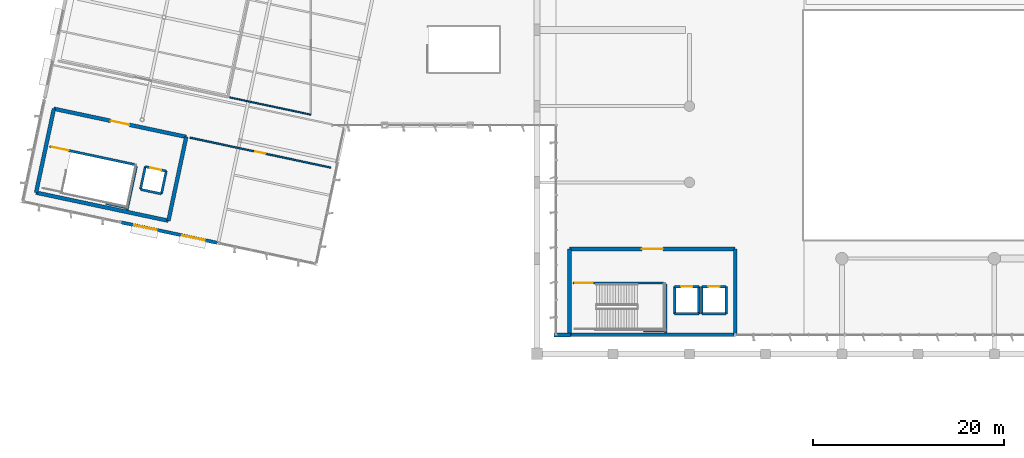
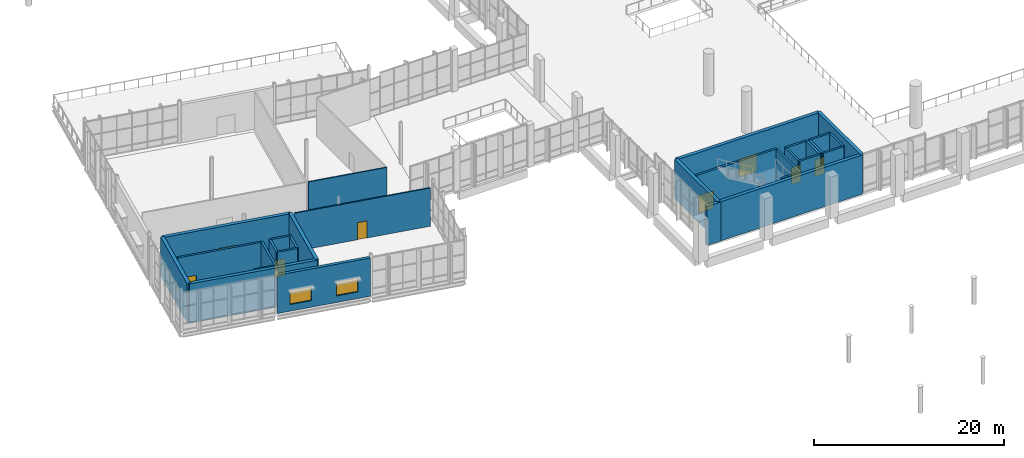
# One storey, part 138 of 176: 30 walls, 8 doors, 2 windows, 10 openings.
"""IFC4 building model written with IfcOpenShell, lengths in metres."""

import ifcopenshell
import ifcopenshell.guid

model = None  # the IFC model being written
_history = None  # IfcOwnerHistory: only IFC2X3 demands one
_inside = {}  # id of a spatial element -> (the spatial element, [elements in it])
_under = {}  # id of a project, library or spatial element -> (it, [spatial elements below it])
_declared = {}  # id of a project -> (the project, [libraries it declares])
_typed = {}  # id of a type object -> (the type object, [elements of that type])
_made_of = {}  # id of a material, layer set ... -> (it, [elements and type objects made of it])


def new_model(schema):
    """Start an empty IFC model of exactly this schema.

    Asked for "IFC4X3", IfcOpenShell would pick the latest addendum, in which some entities
    have other attributes; the version numbers below select the first issue.
    IFC2X3 requires an IfcOwnerHistory on every rooted entity: one is made here for all.
    """
    global model, _history
    if schema == "IFC4X3":
        model = ifcopenshell.file(schema_version=(4, 3, 0, 0))
    else:
        model = ifcopenshell.file(schema=schema)
    _inside.clear()
    _under.clear()
    _declared.clear()
    _typed.clear()
    _made_of.clear()
    _history = None
    if model.schema == "IFC2X3":
        org = make("IfcOrganization", Name="unknown")
        user = make(
            "IfcPersonAndOrganization",
            ThePerson=make("IfcPerson", FamilyName="unknown"),
            TheOrganization=org,
        )
        app = make(
            "IfcApplication",
            ApplicationDeveloper=org,
            Version="unknown",
            ApplicationFullName="unknown",
            ApplicationIdentifier="unknown",
        )
        _history = make(
            "IfcOwnerHistory",
            OwningUser=user,
            OwningApplication=app,
            ChangeAction="ADDED",
            CreationDate=0,
        )
    return model


def make(cls, **values):
    """One entity of the class cls with the attributes given. An attribute that is None is left unset."""
    return model.create_entity(
        cls, **{name: value for name, value in values.items() if value is not None}
    )


def rooted(cls, **values):
    """An entity with a GlobalId (a new one), such as an element, a storey or a relation."""
    return make(cls, GlobalId=ifcopenshell.guid.new(), OwnerHistory=_history, **values)


def si_unit(unit_type, name, prefix=None):
    """IfcSIUnit, for example si_unit("LENGTHUNIT", "METRE", prefix="MILLI")."""
    return make("IfcSIUnit", UnitType=unit_type, Prefix=prefix, Name=name)


def assignment(units):
    """IfcUnitAssignment: the units of a project."""
    return None if units is None else make("IfcUnitAssignment", Units=units)


def point(xyz):
    """IfcCartesianPoint."""
    return None if xyz is None else make("IfcCartesianPoint", Coordinates=xyz)


def direction(xyz):
    """IfcDirection."""
    return None if xyz is None else make("IfcDirection", DirectionRatios=xyz)


def frame(location, z_axis=None, x_axis=None):
    """IfcAxis2Placement3D, a coordinate frame: its origin and axes. An axis left out is left unset."""
    return make(
        "IfcAxis2Placement3D",
        Location=point(location),
        Axis=direction(z_axis),
        RefDirection=direction(x_axis),
    )


def frame_2d(location, x_axis=None):
    """IfcAxis2Placement2D, a coordinate frame in the plane: its origin and x axis."""
    return make(
        "IfcAxis2Placement2D", Location=point(location), RefDirection=direction(x_axis)
    )


def origin():
    """The frame at (0, 0, 0) with its axes left unset."""
    return frame((0.0, 0.0, 0.0))


def place(relative_to, where):
    """IfcLocalPlacement: puts the frame where relative to a parent placement (None: the world)."""
    return make(
        "IfcLocalPlacement", PlacementRelTo=relative_to, RelativePlacement=where
    )


def context(
    kind, dimensions, precision=None, world=None, true_north=None, identifier=None
):
    """IfcGeometricRepresentationContext, for example the 3D "Model" context."""
    return make(
        "IfcGeometricRepresentationContext",
        ContextIdentifier=identifier,
        ContextType=kind,
        CoordinateSpaceDimension=dimensions,
        Precision=precision,
        WorldCoordinateSystem=world,
        TrueNorth=true_north,
    )


def subcontext(parent, identifier, kind, view, scale=None):
    """IfcGeometricRepresentationSubContext, for example "Body" below "Model"."""
    return make(
        "IfcGeometricRepresentationSubContext",
        ContextIdentifier=identifier,
        ContextType=kind,
        ParentContext=parent,
        TargetScale=scale,
        TargetView=view,
    )


def project(units=None, contexts=None):
    """IfcProject with its units and contexts."""
    return rooted(
        "IfcProject",
        Name="project",
        RepresentationContexts=contexts,
        UnitsInContext=assignment(units),
    )


def spatial(cls, under=None, at=None, **own):
    """A site, building, storey or space (cls), placed at a placement, below another one or the project."""
    s = rooted(cls, ObjectPlacement=at, **own)
    if under is not None:
        _under.setdefault(under.id(), (under, []))[1].append(s)
    return s


def profile(cls, at=None, kind="AREA", **sizes):
    """A parametric profile (cls). Its sizes go by their IFC names, for example OverallWidth=200.0."""
    return make(cls, ProfileType=kind, Position=at, **sizes)


def rectangle(**sizes):
    """IfcRectangleProfileDef."""
    return profile("IfcRectangleProfileDef", **sizes)


def extrude(swept, where, along, depth):
    """IfcExtrudedAreaSolid: the profile swept, set in the frame where, extruded along a direction by depth."""
    return make(
        "IfcExtrudedAreaSolid",
        SweptArea=swept,
        Position=where,
        ExtrudedDirection=direction(along),
        Depth=depth,
    )


def shape(context_of_items, identifier, shape_type, items):
    """IfcShapeRepresentation: the items that make up one representation, for example the "Body"."""
    return make(
        "IfcShapeRepresentation",
        ContextOfItems=context_of_items,
        RepresentationIdentifier=identifier,
        RepresentationType=shape_type,
        Items=items,
    )


def material(Name=None, Category=None):
    """IfcMaterial."""
    return make("IfcMaterial", Name=Name, Category=Category)


def layer(
    of_material, thickness, ventilated=None, Name=None, Category=None, Priority=None
):
    """IfcMaterialLayer: one layer of a wall or slab, of a material (None: an air gap)."""
    return make(
        "IfcMaterialLayer",
        Material=of_material,
        LayerThickness=thickness,
        IsVentilated=ventilated,
        Name=Name,
        Category=Category,
        Priority=Priority,
    )


def layer_set(layers, Name=None):
    """IfcMaterialLayerSet."""
    return make("IfcMaterialLayerSet", MaterialLayers=layers, LayerSetName=Name)


def made_of(thing, what):
    """Note that an element or type object is made of a material, layer set ...; save() writes the relation."""
    if what is not None:
        _made_of.setdefault(what.id(), (what, []))[1].append(thing)
    return thing


def type_object(cls, material=None, **own):
    """A type object (cls), such as IfcWallType, which elements share."""
    return made_of(rooted(cls, **own), material)


def element(
    cls,
    number,
    at=None,
    inside=None,
    cuts=None,
    type_object=None,
    material=None,
    context=None,
    identifier="Body",
    shape_type=None,
    held_by="IfcProductDefinitionShape",
    body=None,
    shapes=None,
    **own,
):
    """One element of the class cls, such as IfcWall. Its Tag is "e" and its number.

    at: its placement. inside: the storey or other place that contains it. cuts: it is an
    opening in that element (IfcRelVoidsElement). A single representation is given by context,
    identifier, shape_type and body (its items); several are given by shapes. held_by: the class
    of the entity that holds the representations. save() writes the other relations.
    """
    e = rooted(cls, Tag="e%d" % number, ObjectPlacement=at, **own)
    if body is not None:
        shapes = [shape(context, identifier, shape_type, body)]
    if shapes is not None:
        e.Representation = make(held_by, Representations=shapes)
    if inside is not None:
        _inside.setdefault(inside.id(), (inside, []))[1].append(e)
    if cuts is not None:
        rooted(
            "IfcRelVoidsElement", RelatingBuildingElement=cuts, RelatedOpeningElement=e
        )
    if type_object is not None:
        _typed.setdefault(type_object.id(), (type_object, []))[1].append(e)
    return made_of(e, material)


def fill(opening, filler):
    """IfcRelFillsElement: the door or window that sits in an opening."""
    return rooted(
        "IfcRelFillsElement",
        RelatingOpeningElement=opening,
        RelatedBuildingElement=filler,
    )


def aggregate(whole, parts):
    """IfcRelAggregates: a whole, such as a stair, and the parts it consists of."""
    return rooted("IfcRelAggregates", RelatingObject=whole, RelatedObjects=parts)


def save(model, path):
    """Write the relations noted so far, then the file.

    IfcRelAggregates (storeys below a building ...), IfcRelContainedInSpatialStructure (elements
    in a storey), IfcRelDefinesByType, IfcRelAssociatesMaterial and IfcRelDeclares: one each for
    every whole, place, type object, material and project.
    """
    for whole, parts in _under.values():
        aggregate(whole, parts)
    for where, things in _inside.values():
        rooted(
            "IfcRelContainedInSpatialStructure",
            RelatedElements=things,
            RelatingStructure=where,
        )
    for kind, things in _typed.values():
        rooted("IfcRelDefinesByType", RelatedObjects=things, RelatingType=kind)
    for what, things in _made_of.values():
        rooted("IfcRelAssociatesMaterial", RelatedObjects=things, RelatingMaterial=what)
    for by, libraries in _declared.values():
        rooted("IfcRelDeclares", RelatingContext=by, RelatedDefinitions=libraries)
    model.write(path)


model = new_model("IFC4")

# Units and contexts
model_context = context("Model", 3, precision=1e-05, world=origin(), true_north=direction((0.0, 1.0)))
body_context = subcontext(model_context, "Body", "Model", "MODEL_VIEW")
ifc_project = project(units=[si_unit("LENGTHUNIT", "METRE"), si_unit("AREAUNIT", "SQUARE_METRE"), si_unit("VOLUMEUNIT", "CUBIC_METRE"), si_unit("PLANEANGLEUNIT", "RADIAN"), si_unit("MASSUNIT", "GRAM", prefix="KILO")], contexts=[model_context])

# Site, building, storey
site_placement = place(None, origin())
site = spatial("IfcSite", under=ifc_project, at=site_placement, CompositionType="ELEMENT")
building_placement = place(site_placement, origin())
building = spatial("IfcBuilding", under=site, at=building_placement, Name="Khorjan Park Terminus", CompositionType="ELEMENT")
storey_placement = place(building_placement, frame((0.0, 0.0, 6.0)))
storey = spatial("IfcBuildingStorey", under=building, at=storey_placement, Name="L01", CompositionType="ELEMENT", Elevation=6.0)

# Walls
ifc_material_1 = material(Name="Concrete C50/60", Category="concrete")
ifc_layer_1 = layer(ifc_material_1, 0.4)
ifc_layer_set_1 = layer_set([ifc_layer_1], Name="Concrete C50/60")
wall_type_1 = type_object("IfcWallType", Name="CW-40", PredefinedType="SHEAR", material=ifc_layer_set_1)
wall_1_placement = place(storey_placement, frame((51.4, 28.0, 0.0), z_axis=(0.0, 0.0, 1.0), x_axis=(1.0, 0.0, 0.0)))
element("IfcWall", 1, at=wall_1_placement, inside=storey, type_object=wall_type_1, Name="West Concourse Core concrete shear wall CW-40 (L01-E1)", PredefinedType="SHEAR", context=body_context, shape_type="SweptSolid", body=[
    extrude(rectangle(XDim=17.4, YDim=0.4, at=frame_2d((8.7, 0.0))), origin(), (0.0, 0.0, 1.0), 5.05),
])
wall_2_placement = place(storey_placement, frame((68.8, 28.0, 0.0), z_axis=(0.0, 0.0, 1.0), x_axis=(0.0, 1.0, 0.0)))
element("IfcWall", 2, at=wall_2_placement, inside=storey, type_object=wall_type_1, Name="West Concourse Core concrete shear wall CW-40 (L01-E2)", PredefinedType="SHEAR", context=body_context, shape_type="SweptSolid", body=[
    extrude(rectangle(XDim=9.0, YDim=0.4, at=frame_2d((4.5, 0.0))), origin(), (0.0, 0.0, 1.0), 5.05),
])

# Wall, opening, door
wall_3_placement = place(storey_placement, frame((68.8, 37.0, 0.0), z_axis=(0.0, 0.0, 1.0), x_axis=(-1.0, 0.0, 0.0)))
wall_3 = element("IfcWall", 3, at=wall_3_placement, inside=storey, type_object=wall_type_1, Name="West Concourse Core concrete shear wall CW-40 (L01-E3)", PredefinedType="SHEAR", context=body_context, shape_type="SweptSolid", body=[
    extrude(rectangle(XDim=17.4, YDim=0.4, at=frame_2d((8.7, 0.0))), origin(), (0.0, 0.0, 1.0), 5.05),
])
opening_1_placement = place(wall_3_placement, frame((7.6, 0.0, 0.0)))
opening_1 = element("IfcOpeningElement", 4, at=opening_1_placement, cuts=wall_3, Name="Opening FD-22", PredefinedType="OPENING", context=body_context, shape_type="SweptSolid", body=[
    extrude(rectangle(XDim=2.2, YDim=2.3, at=frame_2d((1.1, 1.15))), frame((0.0, 0.21, 0.0), z_axis=(0.0, -1.0, 0.0), x_axis=(1.0, 0.0, 0.0)), (0.0, 0.0, 1.0), 0.42),
])
ifc_material_2 = material(Name="Fire-Rated Steel Double Door", Category="steel")
door_type_1 = type_object("IfcDoorType", Name="FD-22", OperationType="NOTDEFINED", PredefinedType="DOOR", material=ifc_material_2)
door_1_placement = place(opening_1_placement, origin())
door_1 = element("IfcDoor", 5, at=door_1_placement, inside=storey, type_object=door_type_1, Name="West Concourse Core fire-rated exit door FD-22 (L01)", OperationType="DOUBLE_DOOR_SINGLE_SWING", OverallHeight=2.3, OverallWidth=2.2, PredefinedType="DOOR", context=body_context, shape_type="SweptSolid", body=[
    extrude(rectangle(XDim=2.2, YDim=2.3, at=frame_2d((1.1, 1.15))), frame((0.0, 0.025, 0.0), z_axis=(0.0, -1.0, 0.0), x_axis=(1.0, 0.0, 0.0)), (0.0, 0.0, 1.0), 0.05),
])
fill(opening_1, door_1)

# Walls
wall_4_placement = place(storey_placement, frame((51.4, 37.0, 0.0), z_axis=(0.0, 0.0, 1.0), x_axis=(0.0, -1.0, 0.0)))
element("IfcWall", 6, at=wall_4_placement, inside=storey, type_object=wall_type_1, Name="West Concourse Core concrete shear wall CW-40 (L01-E4)", PredefinedType="SHEAR", context=body_context, shape_type="SweptSolid", body=[
    extrude(rectangle(XDim=9.0, YDim=0.4, at=frame_2d((4.5, 0.0))), origin(), (0.0, 0.0, 1.0), 5.05),
])
wall_5_placement = place(storey_placement, frame((-4.5767, 42.9243, 0.0), z_axis=(0.0, 0.0, 1.0), x_axis=(0.978148272054, -0.20790853248, 0.0)))
element("IfcWall", 7, at=wall_5_placement, inside=storey, type_object=wall_type_1, Name="Park Pavilion Exit Core concrete shear wall CW-40 (L01-E1)", PredefinedType="SHEAR", context=body_context, shape_type="SweptSolid", body=[
    extrude(rectangle(XDim=14.2, YDim=0.4, at=frame_2d((7.1, 0.0))), origin(), (0.0, 0.0, 1.0), 5.05),
])
wall_6_placement = place(storey_placement, frame((9.313, 39.972, 0.0), z_axis=(0.0, 0.0, 1.0), x_axis=(0.20791177806, 0.97814758219, 0.0)))
element("IfcWall", 8, at=wall_6_placement, inside=storey, type_object=wall_type_1, Name="Park Pavilion Exit Core concrete shear wall CW-40 (L01-E2)", PredefinedType="SHEAR", context=body_context, shape_type="SweptSolid", body=[
    extrude(rectangle(XDim=9.0, YDim=0.4, at=frame_2d((4.5, 0.0))), origin(), (0.0, 0.0, 1.0), 5.05),
])

# Wall, opening, door
wall_7_placement = place(storey_placement, frame((11.1842, 48.7753, 0.0), z_axis=(0.0, 0.0, 1.0), x_axis=(-0.978148272054, 0.20790853248, 0.0)))
wall_7 = element("IfcWall", 9, at=wall_7_placement, inside=storey, type_object=wall_type_1, Name="Park Pavilion Exit Core concrete shear wall CW-40 (L01-E3)", PredefinedType="SHEAR", context=body_context, shape_type="SweptSolid", body=[
    extrude(rectangle(XDim=14.2, YDim=0.4, at=frame_2d((7.1, 0.0))), origin(), (0.0, 0.0, 1.0), 5.05),
])
opening_2_placement = place(wall_7_placement, frame((6.1, 0.0, 0.0)))
opening_2 = element("IfcOpeningElement", 10, at=opening_2_placement, cuts=wall_7, Name="Opening FD-20", PredefinedType="OPENING", context=body_context, shape_type="SweptSolid", body=[
    extrude(rectangle(XDim=2.0, YDim=2.3, at=frame_2d((1.0, 1.15))), frame((0.0, 0.21, 0.0), z_axis=(0.0, -1.0, 0.0), x_axis=(1.0, 0.0, 0.0)), (0.0, 0.0, 1.0), 0.42),
])
door_type_2 = type_object("IfcDoorType", Name="FD-20", OperationType="NOTDEFINED", PredefinedType="DOOR", material=ifc_material_2)
door_2_placement = place(opening_2_placement, origin())
door_2 = element("IfcDoor", 11, at=door_2_placement, inside=storey, type_object=door_type_2, Name="Park Pavilion Exit Core fire-rated exit door FD-20 (L01)", OperationType="DOUBLE_DOOR_SINGLE_SWING", OverallHeight=2.3, OverallWidth=2.0, PredefinedType="DOOR", context=body_context, shape_type="SweptSolid", body=[
    extrude(rectangle(XDim=2.0, YDim=2.3, at=frame_2d((1.0, 1.15))), frame((0.0, 0.025, 0.0), z_axis=(0.0, -1.0, 0.0), x_axis=(1.0, 0.0, 0.0)), (0.0, 0.0, 1.0), 0.05),
])
fill(opening_2, door_2)

# Wall
wall_8_placement = place(storey_placement, frame((-2.7055, 51.7276, 0.0), z_axis=(0.0, 0.0, 1.0), x_axis=(-0.20791177806, -0.97814758219, 0.0)))
element("IfcWall", 12, at=wall_8_placement, inside=storey, type_object=wall_type_1, Name="Park Pavilion Exit Core concrete shear wall CW-40 (L01-E4)", PredefinedType="SHEAR", context=body_context, shape_type="SweptSolid", body=[
    extrude(rectangle(XDim=9.0, YDim=0.4, at=frame_2d((4.5, 0.0))), origin(), (0.0, 0.0, 1.0), 5.05),
])

# Wall, openings, windows
ifc_material_3 = material(Name="Pigmented Precast GRC & Concrete C40/50", Category="concrete")
ifc_layer_2 = layer(ifc_material_3, 0.35)
ifc_layer_set_2 = layer_set([ifc_layer_2], Name="Pigmented Precast GRC & Concrete C40/50")
wall_type_2 = type_object("IfcWallType", Name="EW-35", PredefinedType="STANDARD", material=ifc_layer_set_2)
wall_9_placement = place(storey_placement, frame((4.3737, 39.795, 0.0), z_axis=(0.0, 0.0, 1.0), x_axis=(0.978149513342, -0.207902692501, 0.0)))
wall_9 = element("IfcWall", 13, at=wall_9_placement, inside=storey, type_object=wall_type_2, Name="External pigmented-GRC insulated wall EW-35 (EW-V4-S-L01-B02)", PredefinedType="STANDARD", context=body_context, shape_type="SweptSolid", body=[
    extrude(rectangle(XDim=10.2894, YDim=0.35, at=frame_2d((5.1447, 0.0))), origin(), (0.0, 0.0, 1.0), 4.93),
])
opening_3_placement = place(wall_9_placement, frame((1.3724, 0.0, 0.85)))
opening_3 = element("IfcOpeningElement", 14, at=opening_3_placement, cuts=wall_9, Name="Opening WN-24", PredefinedType="OPENING", context=body_context, shape_type="SweptSolid", body=[
    extrude(rectangle(XDim=2.4, YDim=1.8, at=frame_2d((1.2, 0.9))), frame((0.0, 0.185, 0.0), z_axis=(0.0, -1.0, 0.0), x_axis=(1.0, 0.0, 0.0)), (0.0, 0.0, 1.0), 0.37),
])
opening_4_placement = place(wall_9_placement, frame((6.5171, 0.0, 0.85)))
opening_4 = element("IfcOpeningElement", 15, at=opening_4_placement, cuts=wall_9, Name="Opening WN-24", PredefinedType="OPENING", context=body_context, shape_type="SweptSolid", body=[
    extrude(rectangle(XDim=2.4, YDim=1.8, at=frame_2d((1.2, 0.9))), frame((0.0, 0.185, 0.0), z_axis=(0.0, -1.0, 0.0), x_axis=(1.0, 0.0, 0.0)), (0.0, 0.0, 1.0), 0.37),
])
ifc_material_4 = material(Name="Anodized Bronze Aluminium & Low-E Glass", Category="aluminium")
window_type = type_object("IfcWindowType", Name="WN-24", PartitioningType="SINGLE_PANEL", PredefinedType="WINDOW", material=ifc_material_4)
window_1_placement = place(opening_3_placement, origin())
window_1 = element("IfcWindow", 16, at=window_1_placement, inside=storey, type_object=window_type, Name="Solar-control exterior window WN-24 (WN-EW-V4-S-L01-B02-1)", OverallHeight=1.8, OverallWidth=2.4, PartitioningType="SINGLE_PANEL", PredefinedType="WINDOW", context=body_context, shape_type="SweptSolid", body=[
    extrude(rectangle(XDim=2.4, YDim=1.8, at=frame_2d((1.2, 0.9))), frame((0.0, 0.03, 0.0), z_axis=(0.0, -1.0, 0.0), x_axis=(1.0, 0.0, 0.0)), (0.0, 0.0, 1.0), 0.06),
])
fill(opening_3, window_1)
window_2_placement = place(opening_4_placement, origin())
window_2 = element("IfcWindow", 17, at=window_2_placement, inside=storey, type_object=window_type, Name="Solar-control exterior window WN-24 (WN-EW-V4-S-L01-B02-2)", OverallHeight=1.8, OverallWidth=2.4, PartitioningType="SINGLE_PANEL", PredefinedType="WINDOW", context=body_context, shape_type="SweptSolid", body=[
    extrude(rectangle(XDim=2.4, YDim=1.8, at=frame_2d((1.2, 0.9))), frame((0.0, 0.03, 0.0), z_axis=(0.0, -1.0, 0.0), x_axis=(1.0, 0.0, 0.0)), (0.0, 0.0, 1.0), 0.06),
])
fill(opening_4, window_2)

# Walls
ifc_layer_3 = layer(ifc_material_3, 0.42)
ifc_layer_set_3 = layer_set([ifc_layer_3], Name="Pigmented Precast GRC & Concrete C40/50")
wall_type_3 = type_object("IfcWallType", Name="EW-42", PredefinedType="STANDARD", material=ifc_layer_set_3)
wall_10_placement = place(storey_placement, frame((49.8, 28.0, 0.0), z_axis=(0.0, 0.0, 1.0), x_axis=(1.0, 0.0, 0.0)))
element("IfcWall", 18, at=wall_10_placement, inside=storey, type_object=wall_type_3, Name="External pigmented-GRC pier wall EW-42 (L01-1)", PredefinedType="STANDARD", context=body_context, shape_type="SweptSolid", body=[
    extrude(rectangle(XDim=1.7, YDim=0.42, at=frame_2d((0.85, 0.0))), origin(), (0.0, 0.0, 1.0), 5.025),
])
ifc_material_5 = material(Name="Moisture-Resistant Sanitary Partition")
ifc_layer_4 = layer(ifc_material_5, 0.14)
ifc_layer_set_4 = layer_set([ifc_layer_4], Name="Moisture-Resistant Sanitary Partition")
wall_type_4 = type_object("IfcWallType", Name="PT-14", PredefinedType="PARTITIONING", material=ifc_layer_set_4)
wall_11_placement = place(storey_placement, frame((24.26, 51.1076, 0.0), z_axis=(0.0, 0.0, 1.0), x_axis=(-0.978147550902, 0.207911925258, 0.0)))
element("IfcWall", 19, at=wall_11_placement, inside=storey, type_object=wall_type_4, Name="Interior acoustic partition PT-14 (L01-PAV-WC)", PredefinedType="PARTITIONING", context=body_context, shape_type="SweptSolid", body=[
    extrude(rectangle(XDim=8.7051, YDim=0.14, at=frame_2d((4.3525, 0.0))), origin(), (0.0, 0.0, 1.0), 4.93),
])

# Wall, opening, door
ifc_material_6 = material(Name="Insulated Metal-Stud Acoustic Partition")
ifc_layer_5 = layer(ifc_material_6, 0.16)
ifc_layer_set_5 = layer_set([ifc_layer_5], Name="Insulated Metal-Stud Acoustic Partition")
wall_type_5 = type_object("IfcWallType", Name="PT-16", PredefinedType="PARTITIONING", material=ifc_layer_set_5)
wall_12_placement = place(storey_placement, frame((11.5754, 48.6921, 0.0), z_axis=(0.0, 0.0, 1.0), x_axis=(0.978147353885, -0.207912852149, 0.0)))
wall_12 = element("IfcWall", 20, at=wall_12_placement, inside=storey, type_object=wall_type_5, Name="Interior acoustic partition PT-16 (L01-PAV-KIT)", PredefinedType="PARTITIONING", context=body_context, shape_type="SweptSolid", body=[
    extrude(rectangle(XDim=15.1001, YDim=0.16, at=frame_2d((7.55, 0.0))), origin(), (0.0, 0.0, 1.0), 4.93),
])
opening_5_placement = place(wall_12_placement, frame((7.0, 0.0, 0.0)))
opening_5 = element("IfcOpeningElement", 21, at=opening_5_placement, cuts=wall_12, Name="Opening ID-11", PredefinedType="OPENING", context=body_context, shape_type="SweptSolid", body=[
    extrude(rectangle(XDim=1.1, YDim=2.2, at=frame_2d((0.55, 1.1))), frame((0.0, 0.09, 0.0), z_axis=(0.0, -1.0, 0.0), x_axis=(1.0, 0.0, 0.0)), (0.0, 0.0, 1.0), 0.18),
])
ifc_material_7 = material(Name="Acoustic Hardwood Single Door", Category="wood")
door_type_3 = type_object("IfcDoorType", Name="ID-11", OperationType="NOTDEFINED", PredefinedType="DOOR", material=ifc_material_7)
door_3_placement = place(opening_5_placement, origin())
door_3 = element("IfcDoor", 22, at=door_3_placement, inside=storey, type_object=door_type_3, Name="Interior door ID-11 (L01-PAV-KIT)", OperationType="SINGLE_SWING_LEFT", OverallHeight=2.2, OverallWidth=1.1, PredefinedType="DOOR", context=body_context, shape_type="SweptSolid", body=[
    extrude(rectangle(XDim=1.1, YDim=2.2, at=frame_2d((0.55, 1.1))), frame((0.0, 0.025, 0.0), z_axis=(0.0, -1.0, 0.0), x_axis=(1.0, 0.0, 0.0)), (0.0, 0.0, 1.0), 0.05),
])
fill(opening_5, door_3)

# Walls
ifc_material_8 = material(Name="Concrete C40/50", Category="concrete")
ifc_layer_6 = layer(ifc_material_8, 0.25)
ifc_layer_set_6 = layer_set([ifc_layer_6], Name="Concrete C40/50")
wall_type_6 = type_object("IfcWallType", Name="SW-25", PredefinedType="SOLIDWALL", material=ifc_layer_set_6)
wall_13_placement = place(storey_placement, frame((62.45, 30.21, 0.0), z_axis=(0.0, 0.0, 1.0), x_axis=(1.0, 0.0, 0.0)))
element("IfcWall", 23, at=wall_13_placement, inside=storey, type_object=wall_type_6, Name="Lift L01 concrete shaft wall SW-25 (L01-1)", PredefinedType="SOLIDWALL", context=body_context, shape_type="SweptSolid", body=[
    extrude(rectangle(XDim=2.54, YDim=0.25, at=frame_2d((1.27, 0.0))), origin(), (0.0, 0.0, 1.0), 5.05),
])
wall_14_placement = place(storey_placement, frame((64.99, 30.21, 0.0), z_axis=(0.0, 0.0, 1.0), x_axis=(0.0, 1.0, 0.0)))
element("IfcWall", 24, at=wall_14_placement, inside=storey, type_object=wall_type_6, Name="Lift L01 concrete shaft wall SW-25 (L01-2)", PredefinedType="SOLIDWALL", context=body_context, shape_type="SweptSolid", body=[
    extrude(rectangle(XDim=2.84, YDim=0.25, at=frame_2d((1.42, 0.0))), origin(), (0.0, 0.0, 1.0), 5.05),
])

# Wall, opening, door
wall_15_placement = place(storey_placement, frame((64.99, 33.05, 0.0), z_axis=(0.0, 0.0, 1.0), x_axis=(-1.0, 0.0, 0.0)))
wall_15 = element("IfcWall", 25, at=wall_15_placement, inside=storey, type_object=wall_type_6, Name="Lift L01 concrete shaft wall SW-25 (L01-3)", PredefinedType="SOLIDWALL", context=body_context, shape_type="SweptSolid", body=[
    extrude(rectangle(XDim=2.54, YDim=0.25, at=frame_2d((1.27, 0.0))), origin(), (0.0, 0.0, 1.0), 5.05),
])
opening_6_placement = place(wall_15_placement, frame((0.67, 0.0, 0.0)))
opening_6 = element("IfcOpeningElement", 26, at=opening_6_placement, cuts=wall_15, Name="Opening LD-12", PredefinedType="OPENING", context=body_context, shape_type="SweptSolid", body=[
    extrude(rectangle(XDim=1.2, YDim=2.2, at=frame_2d((0.6, 1.1))), frame((0.0, 0.135, 0.0), z_axis=(0.0, -1.0, 0.0), x_axis=(1.0, 0.0, 0.0)), (0.0, 0.0, 1.0), 0.27),
])
ifc_material_9 = material(Name="Stainless-Steel Lift Landing Sliding Door", Category="steel")
door_type_4 = type_object("IfcDoorType", Name="LD-12", OperationType="NOTDEFINED", PredefinedType="DOOR", material=ifc_material_9)
door_4_placement = place(opening_6_placement, origin())
door_4 = element("IfcDoor", 27, at=door_4_placement, inside=storey, type_object=door_type_4, Name="Lift L01 sliding landing door LD-12 (L01)", OperationType="SLIDING_TO_LEFT", OverallHeight=2.2, OverallWidth=1.2, PredefinedType="DOOR", context=body_context, shape_type="SweptSolid", body=[
    extrude(rectangle(XDim=1.2, YDim=2.2, at=frame_2d((0.6, 1.1))), frame((0.0, 0.025, 0.0), z_axis=(0.0, -1.0, 0.0), x_axis=(1.0, 0.0, 0.0)), (0.0, 0.0, 1.0), 0.05),
])
fill(opening_6, door_4)

# Walls
wall_16_placement = place(storey_placement, frame((62.45, 33.05, 0.0), z_axis=(0.0, 0.0, 1.0), x_axis=(0.0, -1.0, 0.0)))
element("IfcWall", 28, at=wall_16_placement, inside=storey, type_object=wall_type_6, Name="Lift L01 concrete shaft wall SW-25 (L01-4)", PredefinedType="SOLIDWALL", context=body_context, shape_type="SweptSolid", body=[
    extrude(rectangle(XDim=2.84, YDim=0.25, at=frame_2d((1.42, 0.0))), origin(), (0.0, 0.0, 1.0), 5.05),
])
wall_17_placement = place(storey_placement, frame((65.31, 30.21, 0.0), z_axis=(0.0, 0.0, 1.0), x_axis=(1.0, 0.0, 0.0)))
element("IfcWall", 29, at=wall_17_placement, inside=storey, type_object=wall_type_6, Name="Lift L02 concrete shaft wall SW-25 (L01-1)", PredefinedType="SOLIDWALL", context=body_context, shape_type="SweptSolid", body=[
    extrude(rectangle(XDim=2.54, YDim=0.25, at=frame_2d((1.27, 0.0))), origin(), (0.0, 0.0, 1.0), 5.05),
])
wall_18_placement = place(storey_placement, frame((67.85, 30.21, 0.0), z_axis=(0.0, 0.0, 1.0), x_axis=(0.0, 1.0, 0.0)))
element("IfcWall", 30, at=wall_18_placement, inside=storey, type_object=wall_type_6, Name="Lift L02 concrete shaft wall SW-25 (L01-2)", PredefinedType="SOLIDWALL", context=body_context, shape_type="SweptSolid", body=[
    extrude(rectangle(XDim=2.84, YDim=0.25, at=frame_2d((1.42, 0.0))), origin(), (0.0, 0.0, 1.0), 5.05),
])

# Wall, opening, door
wall_19_placement = place(storey_placement, frame((67.85, 33.05, 0.0), z_axis=(0.0, 0.0, 1.0), x_axis=(-1.0, 0.0, 0.0)))
wall_19 = element("IfcWall", 31, at=wall_19_placement, inside=storey, type_object=wall_type_6, Name="Lift L02 concrete shaft wall SW-25 (L01-3)", PredefinedType="SOLIDWALL", context=body_context, shape_type="SweptSolid", body=[
    extrude(rectangle(XDim=2.54, YDim=0.25, at=frame_2d((1.27, 0.0))), origin(), (0.0, 0.0, 1.0), 5.05),
])
opening_7_placement = place(wall_19_placement, frame((0.67, 0.0, 0.0)))
opening_7 = element("IfcOpeningElement", 32, at=opening_7_placement, cuts=wall_19, Name="Opening LD-12", PredefinedType="OPENING", context=body_context, shape_type="SweptSolid", body=[
    extrude(rectangle(XDim=1.2, YDim=2.2, at=frame_2d((0.6, 1.1))), frame((0.0, 0.135, 0.0), z_axis=(0.0, -1.0, 0.0), x_axis=(1.0, 0.0, 0.0)), (0.0, 0.0, 1.0), 0.27),
])
door_5_placement = place(opening_7_placement, origin())
door_5 = element("IfcDoor", 33, at=door_5_placement, inside=storey, type_object=door_type_4, Name="Lift L02 sliding landing door LD-12 (L01)", OperationType="SLIDING_TO_RIGHT", OverallHeight=2.2, OverallWidth=1.2, PredefinedType="DOOR", context=body_context, shape_type="SweptSolid", body=[
    extrude(rectangle(XDim=1.2, YDim=2.2, at=frame_2d((0.6, 1.1))), frame((0.0, 0.025, 0.0), z_axis=(0.0, -1.0, 0.0), x_axis=(1.0, 0.0, 0.0)), (0.0, 0.0, 1.0), 0.05),
])
fill(opening_7, door_5)

# Walls
wall_20_placement = place(storey_placement, frame((65.31, 33.05, 0.0), z_axis=(0.0, 0.0, 1.0), x_axis=(0.0, -1.0, 0.0)))
element("IfcWall", 34, at=wall_20_placement, inside=storey, type_object=wall_type_6, Name="Lift L02 concrete shaft wall SW-25 (L01-4)", PredefinedType="SOLIDWALL", context=body_context, shape_type="SweptSolid", body=[
    extrude(rectangle(XDim=2.84, YDim=0.25, at=frame_2d((1.42, 0.0))), origin(), (0.0, 0.0, 1.0), 5.05),
])
wall_21_placement = place(storey_placement, frame((6.3832, 43.263, 0.0), z_axis=(0.0, 0.0, 1.0), x_axis=(0.978150567781, -0.207897731466, 0.0)))
element("IfcWall", 35, at=wall_21_placement, inside=storey, type_object=wall_type_6, Name="Lift L11 concrete shaft wall SW-25 (L01-1)", PredefinedType="SOLIDWALL", context=body_context, shape_type="SweptSolid", body=[
    extrude(rectangle(XDim=2.24, YDim=0.25, at=frame_2d((1.12, 0.0))), origin(), (0.0, 0.0, 1.0), 5.05),
])
wall_22_placement = place(storey_placement, frame((8.5743, 42.7973, 0.0), z_axis=(0.0, 0.0, 1.0), x_axis=(0.207908261464, 0.978148329659, 0.0)))
element("IfcWall", 36, at=wall_22_placement, inside=storey, type_object=wall_type_6, Name="Lift L11 concrete shaft wall SW-25 (L01-2)", PredefinedType="SOLIDWALL", context=body_context, shape_type="SweptSolid", body=[
    extrude(rectangle(XDim=2.44, YDim=0.25, at=frame_2d((1.22, 0.0))), origin(), (0.0, 0.0, 1.0), 5.05),
])

# Wall, opening, door
wall_23_placement = place(storey_placement, frame((9.0816, 45.184, 0.0), z_axis=(0.0, 0.0, 1.0), x_axis=(-0.978150567781, 0.207897731466, 0.0)))
wall_23 = element("IfcWall", 37, at=wall_23_placement, inside=storey, type_object=wall_type_6, Name="Lift L11 concrete shaft wall SW-25 (L01-3)", PredefinedType="SOLIDWALL", context=body_context, shape_type="SweptSolid", body=[
    extrude(rectangle(XDim=2.24, YDim=0.25, at=frame_2d((1.12, 0.0))), origin(), (0.0, 0.0, 1.0), 5.05),
])
opening_8_placement = place(wall_23_placement, frame((0.52, 0.0, 0.0)))
opening_8 = element("IfcOpeningElement", 38, at=opening_8_placement, cuts=wall_23, Name="Opening LD-12", PredefinedType="OPENING", context=body_context, shape_type="SweptSolid", body=[
    extrude(rectangle(XDim=1.2, YDim=2.2, at=frame_2d((0.6, 1.1))), frame((0.0, 0.135, 0.0), z_axis=(0.0, -1.0, 0.0), x_axis=(1.0, 0.0, 0.0)), (0.0, 0.0, 1.0), 0.27),
])
door_6_placement = place(opening_8_placement, origin())
door_6 = element("IfcDoor", 39, at=door_6_placement, inside=storey, type_object=door_type_4, Name="Lift L11 sliding landing door LD-12 (L01)", OperationType="SLIDING_TO_RIGHT", OverallHeight=2.2, OverallWidth=1.2, PredefinedType="DOOR", context=body_context, shape_type="SweptSolid", body=[
    extrude(rectangle(XDim=1.2, YDim=2.2, at=frame_2d((0.6, 1.1))), frame((0.0, 0.025, 0.0), z_axis=(0.0, -1.0, 0.0), x_axis=(1.0, 0.0, 0.0)), (0.0, 0.0, 1.0), 0.05),
])
fill(opening_8, door_6)

# Wall
wall_24_placement = place(storey_placement, frame((6.8905, 45.6497, 0.0), z_axis=(0.0, 0.0, 1.0), x_axis=(-0.207908261464, -0.978148329659, 0.0)))
element("IfcWall", 40, at=wall_24_placement, inside=storey, type_object=wall_type_6, Name="Lift L11 concrete shaft wall SW-25 (L01-4)", PredefinedType="SOLIDWALL", context=body_context, shape_type="SweptSolid", body=[
    extrude(rectangle(XDim=2.44, YDim=0.25, at=frame_2d((1.22, 0.0))), origin(), (0.0, 0.0, 1.0), 5.05),
])

# Wall, opening, door
wall_25_placement = place(storey_placement, frame((51.78, 33.435, 0.0), z_axis=(0.0, 0.0, 1.0), x_axis=(1.0, 0.0, 0.0)))
wall_25 = element("IfcWall", 41, at=wall_25_placement, inside=storey, type_object=wall_type_6, Name="West Concourse Core structural stairwell wall SW-25 (L01)", PredefinedType="SOLIDWALL", context=body_context, shape_type="SweptSolid", body=[
    extrude(rectangle(XDim=9.745, YDim=0.25, at=frame_2d((4.8725, 0.0))), origin(), (0.0, 0.0, 1.0), 5.02),
])
opening_9_placement = place(wall_25_placement, frame((0.25, 0.0, 0.0)))
opening_9 = element("IfcOpeningElement", 42, at=opening_9_placement, cuts=wall_25, Name="Opening FD-18", PredefinedType="OPENING", context=body_context, shape_type="SweptSolid", body=[
    extrude(rectangle(XDim=1.8, YDim=2.25, at=frame_2d((0.9, 1.125))), frame((0.0, 0.135, 0.0), z_axis=(0.0, -1.0, 0.0), x_axis=(1.0, 0.0, 0.0)), (0.0, 0.0, 1.0), 0.27),
])
door_type_5 = type_object("IfcDoorType", Name="FD-18", OperationType="NOTDEFINED", PredefinedType="DOOR", material=ifc_material_2)
door_7_placement = place(opening_9_placement, origin())
door_7 = element("IfcDoor", 43, at=door_7_placement, inside=storey, type_object=door_type_5, Name="West Concourse Core stairwell fire door FD-18 (L01)", OperationType="DOUBLE_DOOR_SINGLE_SWING", OverallHeight=2.25, OverallWidth=1.8, PredefinedType="DOOR", context=body_context, shape_type="SweptSolid", body=[
    extrude(rectangle(XDim=1.8, YDim=2.25, at=frame_2d((0.9, 1.125))), frame((0.0, 0.025, 0.0), z_axis=(0.0, -1.0, 0.0), x_axis=(1.0, 0.0, 0.0)), (0.0, 0.0, 1.0), 0.05),
])
fill(opening_9, door_7)

# Walls
wall_26_placement = place(storey_placement, frame((61.525, 28.2, 0.0), z_axis=(0.0, 0.0, 1.0), x_axis=(0.0, 1.0, 0.0)))
element("IfcWall", 44, at=wall_26_placement, inside=storey, type_object=wall_type_6, Name="West Concourse Core stairwell end bearing wall SW-25 (L01)", PredefinedType="SOLIDWALL", context=body_context, shape_type="SweptSolid", body=[
    extrude(rectangle(XDim=5.11, YDim=0.25, at=frame_2d((2.555, 0.0))), origin(), (0.0, 0.0, 1.0), 5.02),
])
wall_27_placement = place(storey_placement, frame((59.2, 28.425, 0.0), z_axis=(0.0, 0.0, 1.0), x_axis=(1.0, 0.0, 0.0)))
element("IfcWall", 45, at=wall_27_placement, inside=storey, type_object=wall_type_6, Name="West Concourse Core half-landing bearing wall SW-25 (L01)", PredefinedType="SOLIDWALL", context=body_context, shape_type="SweptSolid", body=[
    extrude(rectangle(XDim=2.2, YDim=0.25, at=frame_2d((1.1, 0.0))), origin(), (0.0, 0.0, 1.0), 5.02),
])

# Wall, opening, door
wall_28_placement = place(storey_placement, frame((-3.1582, 47.7703, 0.0), z_axis=(0.0, 0.0, 1.0), x_axis=(0.978146230105, -0.207918139013, 0.0)))
wall_28 = element("IfcWall", 46, at=wall_28_placement, inside=storey, type_object=wall_type_6, Name="Park Pavilion Exit Core structural stairwell wall SW-25 (L01)", PredefinedType="SOLIDWALL", context=body_context, shape_type="SweptSolid", body=[
    extrude(rectangle(XDim=9.345, YDim=0.25, at=frame_2d((4.6725, 0.0))), origin(), (0.0, 0.0, 1.0), 4.93),
])
opening_10_placement = place(wall_28_placement, frame((0.25, 0.0, 0.0)))
opening_10 = element("IfcOpeningElement", 47, at=opening_10_placement, cuts=wall_28, Name="Opening FD-18", PredefinedType="OPENING", context=body_context, shape_type="SweptSolid", body=[
    extrude(rectangle(XDim=1.8, YDim=2.25, at=frame_2d((0.9, 1.125))), frame((0.0, 0.135, 0.0), z_axis=(0.0, -1.0, 0.0), x_axis=(1.0, 0.0, 0.0)), (0.0, 0.0, 1.0), 0.27),
])
door_8_placement = place(opening_10_placement, origin())
door_8 = element("IfcDoor", 48, at=door_8_placement, inside=storey, type_object=door_type_5, Name="Park Pavilion Exit Core stairwell fire door FD-18 (L01)", OperationType="DOUBLE_DOOR_SINGLE_SWING", OverallHeight=2.25, OverallWidth=1.8, PredefinedType="DOOR", context=body_context, shape_type="SweptSolid", body=[
    extrude(rectangle(XDim=1.8, YDim=2.25, at=frame_2d((0.9, 1.125))), frame((0.0, 0.025, 0.0), z_axis=(0.0, -1.0, 0.0), x_axis=(1.0, 0.0, 0.0)), (0.0, 0.0, 1.0), 0.05),
])
fill(opening_10, door_8)

# Walls
wall_29_placement = place(storey_placement, frame((4.9774, 41.098, 0.0), z_axis=(0.0, 0.0, 1.0), x_axis=(0.207897606308, 0.978150594383, 0.0)))
element("IfcWall", 49, at=wall_29_placement, inside=storey, type_object=wall_type_6, Name="Park Pavilion Exit Core stairwell end bearing wall SW-25 (L01)", PredefinedType="SOLIDWALL", context=body_context, shape_type="SweptSolid", body=[
    extrude(rectangle(XDim=4.71, YDim=0.25, at=frame_2d((2.355, 0.0))), origin(), (0.0, 0.0, 1.0), 5.05),
])
wall_30_placement = place(storey_placement, frame((2.75, 41.8015, 0.0), z_axis=(0.0, 0.0, 1.0), x_axis=(0.978147643724, -0.207911488563, 0.0)))
element("IfcWall", 50, at=wall_30_placement, inside=storey, type_object=wall_type_6, Name="Park Pavilion Exit Core half-landing bearing wall SW-25 (L01)", PredefinedType="SOLIDWALL", context=body_context, shape_type="SweptSolid", body=[
    extrude(rectangle(XDim=2.2, YDim=0.25, at=frame_2d((1.1, 0.0))), origin(), (0.0, 0.0, 1.0), 4.93),
])

save(model, "model.ifc")
